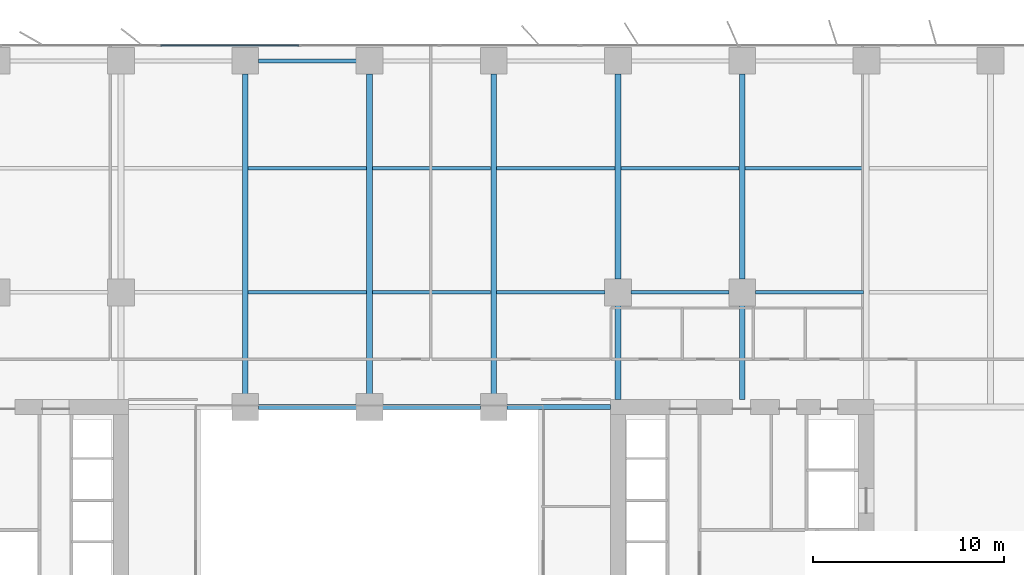
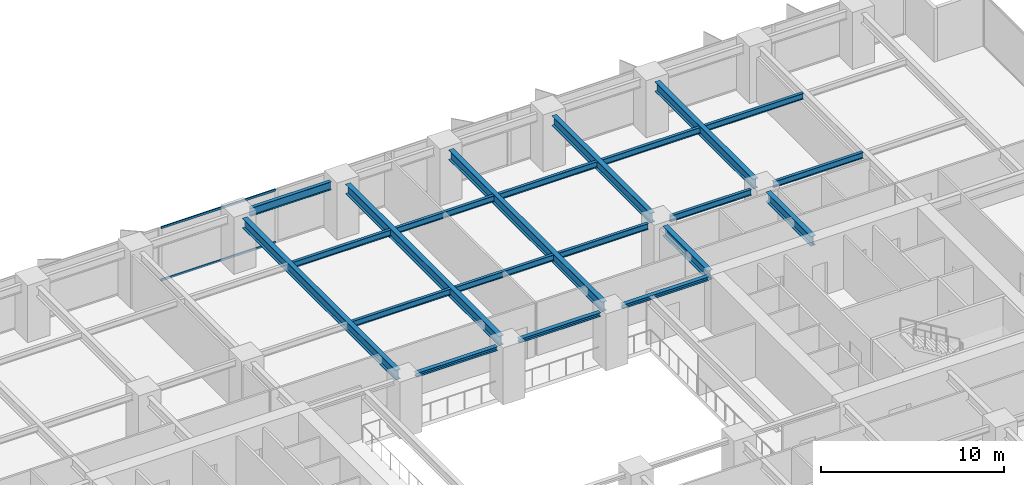
# One storey, part 8 of 20: 21 beams, 2 members, 1 element without a shape of its own.
"""IFC4 building model written with IfcOpenShell, lengths in metres."""

from ifc_helpers import new_model, si_unit, direction, frame, origin, origin_2d, place, context, subcontext, project, spatial, rectangle, i_section, extrude, material, layer, layer_set, material_profile, profile_set, type_object, element, aggregate, save


model = new_model("IFC4")

# Units and contexts
model_context = context("Model", 3, precision=1e-05, world=origin(), true_north=direction((0.0, 1.0)))
body_context = subcontext(model_context, "Body", "Model", "MODEL_VIEW")
ifc_project = project(units=[si_unit("LENGTHUNIT", "METRE"), si_unit("AREAUNIT", "SQUARE_METRE"), si_unit("VOLUMEUNIT", "CUBIC_METRE"), si_unit("PLANEANGLEUNIT", "RADIAN"), si_unit("MASSUNIT", "GRAM", prefix="KILO")], contexts=[model_context])

# Site, building, storey
site_placement = place(None, origin())
site = spatial("IfcSite", under=ifc_project, at=site_placement, CompositionType="ELEMENT")
building_placement = place(site_placement, origin())
building = spatial("IfcBuilding", under=site, at=building_placement, Name="Putna Gate Headquarters", CompositionType="ELEMENT")
storey_placement = place(building_placement, frame((0.0, 0.0, 54.39990234375)))
storey = spatial("IfcBuildingStorey", under=building, at=storey_placement, Name="L12", CompositionType="ELEMENT", Elevation=54.39990234375)

# Beams
ifc_material_1 = material(Name="Steel S355J2", Category="steel")
ifc_material_profile_1 = material_profile(ifc_material_1, i_section(OverallWidth=0.260009765625, OverallDepth=0.260009765625, WebThickness=0.010009765625, FlangeThickness=0.017578125, at=origin_2d()), Name="Steel S355J2")
ifc_profile_set_1 = profile_set([ifc_material_profile_1], Name="Steel S355J2")
beam_type_1 = type_object("IfcBeamType", Name="BM-ATRIUM-HEB260", PredefinedType="BEAM", material=ifc_profile_set_1)
for number, where, z_axis, x_axis, name in (
    (1, (33.18798828125, 33.0, 3.420166015625), (1.0, 0.0, 0.0), (0.0, 1.0, 0.0), "L12 Atrium Edge Beam AN2"),
    (2, (39.68798828125, 33.0, 3.420166015625), (1.0, 0.0, 0.0), (0.0, 1.0, 0.0), "L12 Atrium Edge Beam AN3"),
):
    element("IfcBeam", number, at=place(storey_placement, frame(where, z_axis=z_axis, x_axis=x_axis)), inside=storey, type_object=beam_type_1, Name=name, PredefinedType="BEAM", context=body_context, shape_type="SweptSolid", body=[
        extrude(i_section(OverallWidth=0.260009765625, OverallDepth=0.260009765625, WebThickness=0.010009765625, FlangeThickness=0.017578125, at=origin_2d()), origin(), (0.0, 0.0, 1.0), 5.1240234375),
    ])
beam_1_placement = place(storey_placement, frame((46.18798828125, 33.0, 3.420166015625), z_axis=(1.0, 0.0, 0.0), x_axis=(0.0, 1.0, 0.0)))
element("IfcBeam", 3, at=beam_1_placement, inside=storey, type_object=beam_type_1, Name="L12 Atrium Edge Beam AN4", PredefinedType="BEAM", context=body_context, shape_type="SweptSolid", body=[
    extrude(i_section(OverallWidth=0.260009765625, OverallDepth=0.260009765625, WebThickness=0.010009765625, FlangeThickness=0.017578125, at=origin_2d()), origin(), (0.0, 0.0, 1.0), 5.427001953125),
])
ifc_material_profile_2 = material_profile(ifc_material_1, i_section(OverallWidth=0.300048828125, OverallDepth=0.64990234375, WebThickness=0.01611328125, FlangeThickness=0.031005859375, at=origin_2d()), Name="Steel S355J2")
ifc_profile_set_2 = profile_set([ifc_material_profile_2], Name="Steel S355J2")
beam_type_2 = type_object("IfcBeamType", Name="BM-GIRD-Z1-HEB650", PredefinedType="USERDEFINED", material=ifc_profile_set_2)
for number, where, z_axis, x_axis, name in (
    (4, (32.5, 33.68798828125, 3.22509765625), (0.0, 1.0, 0.0), (-1.0, 0.0, 0.0), "L12 North Primary Girder X32"),
    (5, (39.0, 33.68798828125, 3.22509765625), (0.0, 1.0, 0.0), (-1.0, 0.0, 0.0), "L12 North Primary Girder X39"),
    (6, (45.5, 33.68798828125, 3.22509765625), (0.0, 1.0, 0.0), (-1.0, 0.0, 0.0), "L12 North Primary Girder X45"),
):
    element("IfcBeam", number, at=place(storey_placement, frame(where, z_axis=z_axis, x_axis=x_axis)), inside=storey, type_object=beam_type_2, Name=name, ObjectType="GIRDER", PredefinedType="USERDEFINED", context=body_context, shape_type="SweptSolid", body=[
        extrude(i_section(OverallWidth=0.300048828125, OverallDepth=0.64990234375, WebThickness=0.01611328125, FlangeThickness=0.031005859375, at=origin_2d()), origin(), (0.0, 0.0, 1.0), 16.743896484375),
    ])
beam_2_placement = place(storey_placement, frame((52.0, 33.385009765625, 3.22509765625), z_axis=(0.0, 1.0, 0.0), x_axis=(-1.0, 0.0, 0.0)))
element("IfcBeam", 7, at=beam_2_placement, inside=storey, type_object=beam_type_2, Name="L12 North Primary Girder X52-1", ObjectType="GIRDER", PredefinedType="USERDEFINED", context=body_context, shape_type="SweptSolid", body=[
    extrude(i_section(OverallWidth=0.300048828125, OverallDepth=0.64990234375, WebThickness=0.01611328125, FlangeThickness=0.031005859375, at=origin_2d()), origin(), (0.0, 0.0, 1.0), 4.927001953125),
])
beam_3_placement = place(storey_placement, frame((52.0, 39.68798828125, 3.22509765625), z_axis=(0.0, 1.0, 0.0), x_axis=(-1.0, 0.0, 0.0)))
element("IfcBeam", 8, at=beam_3_placement, inside=storey, type_object=beam_type_2, Name="L12 North Primary Girder X52-2", ObjectType="GIRDER", PredefinedType="USERDEFINED", context=body_context, shape_type="SweptSolid", body=[
    extrude(i_section(OverallWidth=0.300048828125, OverallDepth=0.64990234375, WebThickness=0.01611328125, FlangeThickness=0.031005859375, at=origin_2d()), origin(), (0.0, 0.0, 1.0), 10.743896484375),
])
beam_4_placement = place(storey_placement, frame((58.5, 33.385009765625, 3.22509765625), z_axis=(0.0, 1.0, 0.0), x_axis=(-1.0, 0.0, 0.0)))
element("IfcBeam", 9, at=beam_4_placement, inside=storey, type_object=beam_type_2, Name="L12 North Primary Girder X58-1", ObjectType="GIRDER", PredefinedType="USERDEFINED", context=body_context, shape_type="SweptSolid", body=[
    extrude(i_section(OverallWidth=0.300048828125, OverallDepth=0.64990234375, WebThickness=0.01611328125, FlangeThickness=0.031005859375, at=origin_2d()), origin(), (0.0, 0.0, 1.0), 4.927001953125),
])
beam_5_placement = place(storey_placement, frame((58.5, 39.68798828125, 3.22509765625), z_axis=(0.0, 1.0, 0.0), x_axis=(-1.0, 0.0, 0.0)))
element("IfcBeam", 10, at=beam_5_placement, inside=storey, type_object=beam_type_2, Name="L12 North Primary Girder X58-2", ObjectType="GIRDER", PredefinedType="USERDEFINED", context=body_context, shape_type="SweptSolid", body=[
    extrude(i_section(OverallWidth=0.300048828125, OverallDepth=0.64990234375, WebThickness=0.01611328125, FlangeThickness=0.031005859375, at=origin_2d()), origin(), (0.0, 0.0, 1.0), 10.743896484375),
])
ifc_material_profile_3 = material_profile(ifc_material_1, i_section(OverallWidth=0.179931640625, OverallDepth=0.39990234375, WebThickness=0.008544921875, FlangeThickness=0.013427734375, at=origin_2d()), Name="Steel S355J2")
ifc_profile_set_3 = profile_set([ifc_material_profile_3], Name="Steel S355J2")
beam_type_3 = type_object("IfcBeamType", Name="BM-SEC-Z1-IPE400", PredefinedType="BEAM", material=ifc_profile_set_3)
for number, where, z_axis, x_axis, name in (
    (11, (32.654052734375, 39.0, 3.35009765625), (1.0, 0.0, 0.0), (0.0, 1.0, 0.0), "L12 North Secondary Beam 5"),
    (12, (32.654052734375, 45.5, 3.35009765625), (1.0, 0.0, 0.0), (0.0, 1.0, 0.0), "L12 North Secondary Beam 5"),
    (13, (39.154052734375, 39.0, 3.35009765625), (1.0, 0.0, 0.0), (0.0, 1.0, 0.0), "L12 North Secondary Beam 6"),
    (14, (39.154052734375, 45.5, 3.35009765625), (1.0, 0.0, 0.0), (0.0, 1.0, 0.0), "L12 North Secondary Beam 6"),
):
    element("IfcBeam", number, at=place(storey_placement, frame(where, z_axis=z_axis, x_axis=x_axis)), inside=storey, type_object=beam_type_3, Name=name, PredefinedType="BEAM", context=body_context, shape_type="SweptSolid", body=[
        extrude(i_section(OverallWidth=0.179931640625, OverallDepth=0.39990234375, WebThickness=0.008544921875, FlangeThickness=0.013427734375, at=origin_2d()), origin(), (0.0, 0.0, 1.0), 6.19189453125),
    ])
beam_6_placement = place(storey_placement, frame((45.654052734375, 39.0, 3.35009765625), z_axis=(1.0, 0.0, 0.0), x_axis=(0.0, 1.0, 0.0)))
element("IfcBeam", 15, at=beam_6_placement, inside=storey, type_object=beam_type_3, Name="L12 North Secondary Beam 7", PredefinedType="BEAM", context=body_context, shape_type="SweptSolid", body=[
    extrude(i_section(OverallWidth=0.179931640625, OverallDepth=0.39990234375, WebThickness=0.008544921875, FlangeThickness=0.013427734375, at=origin_2d()), origin(), (0.0, 0.0, 1.0), 5.657958984375),
])
beam_7_placement = place(storey_placement, frame((45.654052734375, 45.5, 3.35009765625), z_axis=(1.0, 0.0, 0.0), x_axis=(0.0, 1.0, 0.0)))
element("IfcBeam", 16, at=beam_7_placement, inside=storey, type_object=beam_type_3, Name="L12 North Secondary Beam 7", PredefinedType="BEAM", context=body_context, shape_type="SweptSolid", body=[
    extrude(i_section(OverallWidth=0.179931640625, OverallDepth=0.39990234375, WebThickness=0.008544921875, FlangeThickness=0.013427734375, at=origin_2d()), origin(), (0.0, 0.0, 1.0), 6.19189453125),
])
beam_8_placement = place(storey_placement, frame((52.68798828125, 39.0, 3.35009765625), z_axis=(1.0, 0.0, 0.0), x_axis=(0.0, 1.0, 0.0)))
element("IfcBeam", 17, at=beam_8_placement, inside=storey, type_object=beam_type_3, Name="L12 North Secondary Beam 8", PredefinedType="BEAM", context=body_context, shape_type="SweptSolid", body=[
    extrude(i_section(OverallWidth=0.179931640625, OverallDepth=0.39990234375, WebThickness=0.008544921875, FlangeThickness=0.013427734375, at=origin_2d()), origin(), (0.0, 0.0, 1.0), 5.1240234375),
])
beam_9_placement = place(storey_placement, frame((52.154052734375, 45.5, 3.35009765625), z_axis=(1.0, 0.0, 0.0), x_axis=(0.0, 1.0, 0.0)))
element("IfcBeam", 18, at=beam_9_placement, inside=storey, type_object=beam_type_3, Name="L12 North Secondary Beam 8", PredefinedType="BEAM", context=body_context, shape_type="SweptSolid", body=[
    extrude(i_section(OverallWidth=0.179931640625, OverallDepth=0.39990234375, WebThickness=0.008544921875, FlangeThickness=0.013427734375, at=origin_2d()), origin(), (0.0, 0.0, 1.0), 6.19189453125),
])
beam_10_placement = place(storey_placement, frame((59.18798828125, 39.0, 3.35009765625), z_axis=(1.0, 0.0, 0.0), x_axis=(0.0, 1.0, 0.0)))
element("IfcBeam", 19, at=beam_10_placement, inside=storey, type_object=beam_type_3, Name="L12 North Secondary Beam 9", PredefinedType="BEAM", context=body_context, shape_type="SweptSolid", body=[
    extrude(i_section(OverallWidth=0.179931640625, OverallDepth=0.39990234375, WebThickness=0.008544921875, FlangeThickness=0.013427734375, at=origin_2d()), origin(), (0.0, 0.0, 1.0), 5.657958984375),
])
beam_11_placement = place(storey_placement, frame((58.654052734375, 45.5, 3.35009765625), z_axis=(1.0, 0.0, 0.0), x_axis=(0.0, 1.0, 0.0)))
element("IfcBeam", 20, at=beam_11_placement, inside=storey, type_object=beam_type_3, Name="L12 North Secondary Beam 9", PredefinedType="BEAM", context=body_context, shape_type="SweptSolid", body=[
    extrude(i_section(OverallWidth=0.179931640625, OverallDepth=0.39990234375, WebThickness=0.008544921875, FlangeThickness=0.013427734375, at=origin_2d()), origin(), (0.0, 0.0, 1.0), 6.19189453125),
])
ifc_material_profile_4 = material_profile(ifc_material_1, i_section(OverallWidth=0.2099609375, OverallDepth=0.550048828125, WebThickness=0.010986328125, FlangeThickness=0.01708984375, at=origin_2d()), Name="Steel S355J2")
ifc_profile_set_4 = profile_set([ifc_material_profile_4], Name="Steel S355J2")
beam_type_4 = type_object("IfcBeamType", Name="BM-SPAN-Z1-IPE550", PredefinedType="SPANDREL", material=ifc_profile_set_4)
beam_12_placement = place(storey_placement, frame((33.18798828125, 51.1201171875, 3.275146484375), z_axis=(1.0, 0.0, 0.0), x_axis=(0.0, 1.0, 0.0)))
element("IfcBeam", 21, at=beam_12_placement, inside=storey, type_object=beam_type_4, Name="L12 N Perimeter Spandrel 5", PredefinedType="SPANDREL", context=body_context, shape_type="SweptSolid", body=[
    extrude(i_section(OverallWidth=0.2099609375, OverallDepth=0.550048828125, WebThickness=0.010986328125, FlangeThickness=0.01708984375, at=origin_2d()), origin(), (0.0, 0.0, 1.0), 5.1240234375),
])

# Curtain wall, members
ifc_material_2 = material(Name="Anodised bronze aluminium curtain wall", Category="aluminium")
ifc_layer = layer(ifc_material_2, 0.179931640625)
ifc_layer_set = layer_set([ifc_layer], Name="Anodised bronze aluminium curtain wall")
curtain_wall_type = type_object("IfcCurtainWallType", Name="CW-SYS-ATR", PredefinedType="USERDEFINED", material=ifc_layer_set)
curtain_wall_placement = place(storey_placement, origin())
curtain_wall = element("IfcCurtainWall", 22, at=curtain_wall_placement, inside=storey, type_object=curtain_wall_type, Name="L12 North Atrium Clear Glazing", ObjectType="ATRIUM GLAZING", PredefinedType="USERDEFINED")
ifc_material_3 = material(Name="Anodised bronze aluminium EN AW-6060", Category="aluminium")
ifc_material_profile_5 = material_profile(ifc_material_3, rectangle(XDim=0.070068359375, YDim=0.139892578125, at=origin_2d()), Name="Anodised bronze aluminium EN AW-6060")
ifc_profile_set_5 = profile_set([ifc_material_profile_5], Name="Anodised bronze aluminium EN AW-6060")
member_type = type_object("IfcMemberType", Name="TRAN-CWT-AT", PredefinedType="USERDEFINED", material=ifc_profile_set_5)
member_1_placement = place(storey_placement, frame((28.070068359375, 51.919921875, 0.03515625), z_axis=(1.0, 0.0, 0.0), x_axis=(0.0, 1.0, 0.0)))
member_1 = element("IfcMember", 23, at=member_1_placement, type_object=member_type, Name="CWS-AT transom 1.1", ObjectType="TRANSOM", PredefinedType="USERDEFINED", context=body_context, shape_type="SweptSolid", body=[
    extrude(rectangle(XDim=0.070068359375, YDim=0.139892578125, at=origin_2d()), origin(), (0.0, 0.0, 1.0), 7.228271484375),
])
member_2_placement = place(storey_placement, frame((28.070068359375, 51.919921875, 3.51513671875), z_axis=(1.0, 0.0, 0.0), x_axis=(0.0, 1.0, 0.0)))
member_2 = element("IfcMember", 24, at=member_2_placement, type_object=member_type, Name="CWS-AT transom 1.2", ObjectType="TRANSOM", PredefinedType="USERDEFINED", context=body_context, shape_type="SweptSolid", body=[
    extrude(rectangle(XDim=0.070068359375, YDim=0.139892578125, at=origin_2d()), origin(), (0.0, 0.0, 1.0), 7.228271484375),
])
aggregate(curtain_wall, [member_1, member_2])

save(model, "model.ifc")
